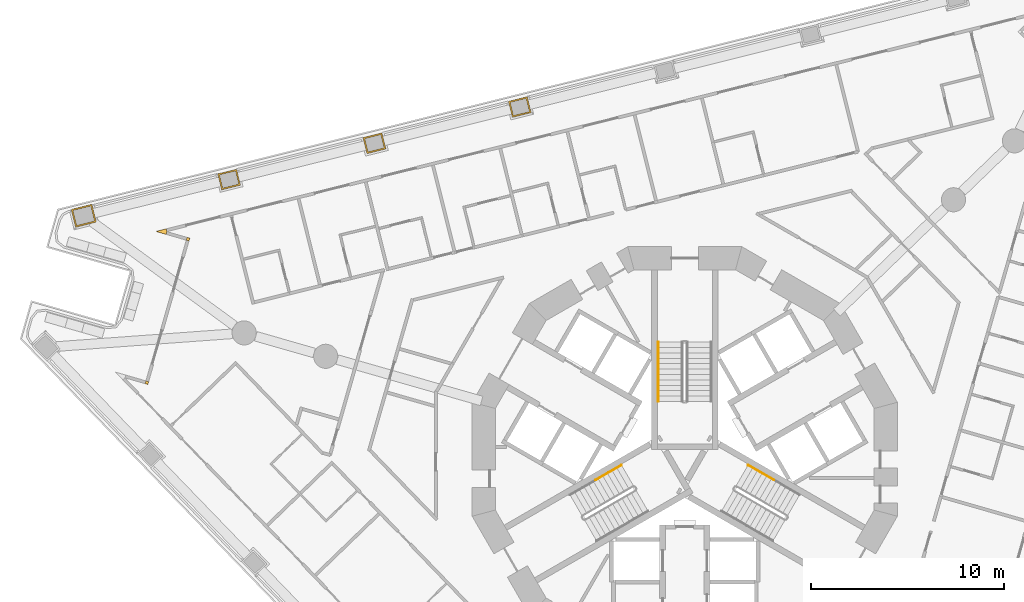
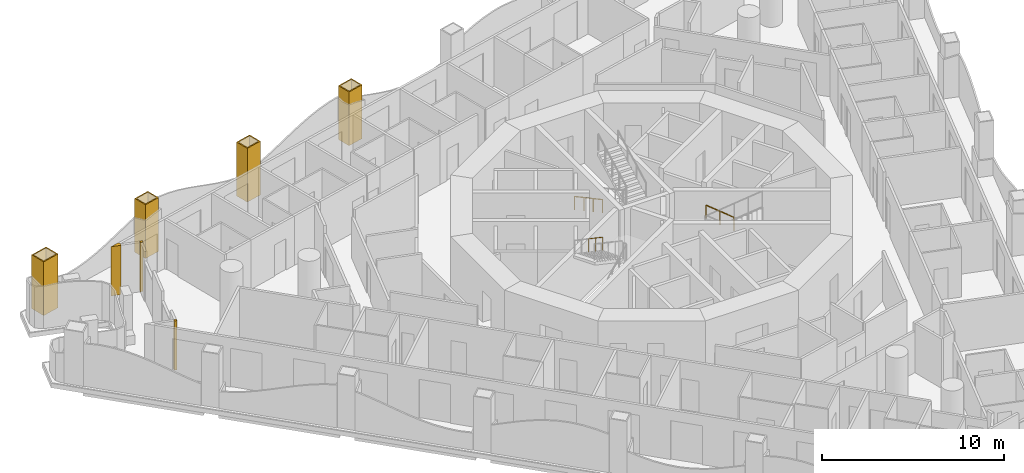
# One storey, part 17 of 20: 7 coverings, 3 railings.
"""IFC4 building model written with IfcOpenShell, lengths in metres."""

from ifc_helpers import new_model, si_unit, direction, frame, origin, origin_2d, place, context, subcontext, project, spatial, polyline, circle, outline, extrude, material, layer, layer_set, type_object, element, save


model = new_model("IFC4")

# Units and contexts
model_context = context("Model", 3, precision=1e-05, world=origin(), true_north=direction((0.0, 1.0)))
body_context = subcontext(model_context, "Body", "Model", "MODEL_VIEW")
ifc_project = project(units=[si_unit("LENGTHUNIT", "METRE"), si_unit("AREAUNIT", "SQUARE_METRE"), si_unit("VOLUMEUNIT", "CUBIC_METRE"), si_unit("PLANEANGLEUNIT", "RADIAN"), si_unit("MASSUNIT", "GRAM", prefix="KILO")], contexts=[model_context])

# Site, building, storey
site_placement = place(None, origin())
site = spatial("IfcSite", under=ifc_project, at=site_placement, CompositionType="ELEMENT")
building_placement = place(site_placement, origin())
building = spatial("IfcBuilding", under=site, at=building_placement, Name="Trine Commons Tower", CompositionType="ELEMENT")
storey_placement = place(building_placement, frame((0.0, 0.0, 112.5)))
storey = spatial("IfcBuildingStorey", under=building, at=storey_placement, Name="L28", CompositionType="ELEMENT", Elevation=112.5)

# Coverings
ifc_material_1 = material(Name="Aluminium-framed insulated wall panel", Category="aluminium")
ifc_layer_1 = layer(ifc_material_1, 0.14990234375)
ifc_layer_set_1 = layer_set([ifc_layer_1], Name="Aluminium-framed insulated wall panel")
covering_type_1 = type_object("IfcCoveringType", Name="Glazing corner post, aluminium", PredefinedType="CLADDING", material=ifc_layer_set_1)
covering_1_placement = place(storey_placement, origin())
element("IfcCovering", 1, at=covering_1_placement, inside=storey, type_object=covering_type_1, Name="Glazing corner post 3-02", PredefinedType="CLADDING", context=body_context, shape_type="SweptSolid", body=[
    extrude(outline(polyline([(52.048828125, 66.416015625), (52.193115234375, 66.374755859375), (52.234375, 66.518798828125), (52.090087890625, 66.560302734375), (52.048828125, 66.416015625)])), origin(), (0.0, 0.0, 1.0), 3.300048828125),
])
covering_2_placement = place(storey_placement, origin())
element("IfcCovering", 2, at=covering_2_placement, inside=storey, type_object=covering_type_1, Name="Glazing corner post 3-03", PredefinedType="CLADDING", context=body_context, shape_type="SweptSolid", body=[
    extrude(outline(polyline([(54.32373046875, 73.805419921875), (54.364990234375, 73.949462890625), (54.220703125, 73.99072265625), (54.179443359375, 73.8466796875), (54.32373046875, 73.805419921875)])), origin(), (0.0, 0.0, 1.0), 3.300048828125),
])
covering_3_placement = place(storey_placement, origin())
element("IfcCovering", 3, at=covering_3_placement, inside=storey, type_object=covering_type_1, Name="Glazing corner post 3-04", PredefinedType="CLADDING", context=body_context, shape_type="SweptSolid", body=[
    extrude(outline(polyline([(53.1357421875, 74.14599609375), (53.17724609375, 74.2900390625), (53.140869140625, 74.435546875), (52.59765625, 74.30029296875), (53.1357421875, 74.14599609375)])), origin(), (0.0, 0.0, 1.0), 3.300048828125),
])
ifc_material_2 = material(Name="Limestone, honed", Category="masonry")
ifc_layer_2 = layer(ifc_material_2, 0.074951171875)
ifc_layer_set_2 = layer_set([ifc_layer_2], Name="Limestone, honed")
covering_type_2 = type_object("IfcCoveringType", Name="Limestone column cladding 75", PredefinedType="CLADDING", material=ifc_layer_set_2)
covering_4_placement = place(storey_placement, origin())
element("IfcCovering", 4, at=covering_4_placement, inside=storey, type_object=covering_type_2, Name="Limestone pier cladding 3-09", PredefinedType="CLADDING", context=body_context, shape_type="SweptSolid", body=[
    extrude(outline(polyline([(49.520751953125, 74.785400390625), (49.291015625, 75.70703125), (48.2236328125, 75.44091796875), (48.45361328125, 74.519287109375), (49.520751953125, 74.785400390625)]), holes=[polyline([(49.429931640625, 74.83984375), (49.236328125, 75.6162109375), (48.314453125, 75.38623046875), (48.508056640625, 74.610107421875), (49.429931640625, 74.83984375)])]), origin(), (0.0, 0.0, 1.0), 3.60009765625),
])
covering_5_placement = place(storey_placement, origin())
element("IfcCovering", 5, at=covering_5_placement, inside=storey, type_object=covering_type_2, Name="Limestone pier cladding 3-10", PredefinedType="CLADDING", context=body_context, shape_type="SweptSolid", body=[
    extrude(outline(polyline([(56.9873046875, 76.698486328125), (56.78173828125, 77.523193359375), (55.811279296875, 77.28125), (56.01708984375, 76.45654296875), (56.9873046875, 76.698486328125)]), holes=[polyline([(56.896484375, 76.7529296875), (56.72705078125, 77.43212890625), (55.90234375, 77.2265625), (56.07177734375, 76.54736328125), (56.896484375, 76.7529296875)])]), origin(), (0.0, 0.0, 1.0), 3.60009765625),
])
covering_6_placement = place(storey_placement, origin())
element("IfcCovering", 6, at=covering_6_placement, inside=storey, type_object=covering_type_2, Name="Limestone pier cladding 3-11", PredefinedType="CLADDING", context=body_context, shape_type="SweptSolid", body=[
    extrude(outline(polyline([(64.5146484375, 78.5751953125), (64.308837890625, 79.39990234375), (63.338623046875, 79.157958984375), (63.544189453125, 78.333251953125), (64.5146484375, 78.5751953125)]), holes=[polyline([(64.423583984375, 78.6298828125), (64.25439453125, 79.30908203125), (63.4296875, 79.103515625), (63.598876953125, 78.42431640625), (64.423583984375, 78.6298828125)])]), origin(), (0.0, 0.0, 1.0), 3.60009765625),
])
covering_7_placement = place(storey_placement, origin())
element("IfcCovering", 7, at=covering_7_placement, inside=storey, type_object=covering_type_2, Name="Limestone pier cladding 3-12", PredefinedType="CLADDING", context=body_context, shape_type="SweptSolid", body=[
    extrude(outline(polyline([(72.0419921875, 80.451904296875), (71.836181640625, 81.276611328125), (70.865966796875, 81.03466796875), (71.071533203125, 80.2099609375), (72.0419921875, 80.451904296875)]), holes=[polyline([(71.950927734375, 80.506591796875), (71.781494140625, 81.185791015625), (70.956787109375, 80.97998046875), (71.126220703125, 80.30078125), (71.950927734375, 80.506591796875)])]), origin(), (0.0, 0.0, 1.0), 3.60009765625),
])

# Railings
ifc_material_3 = material(Name="Stainless steel handrail", Category="steel")
railing_type = type_object("IfcRailingType", Name="Stair handrail, steel 900", PredefinedType="HANDRAIL", material=ifc_material_3)
railing_1_placement = place(storey_placement, frame((78.625, 68.570556640625, 0.14990234375)))
element("IfcRailing", 8, at=railing_1_placement, inside=storey, type_object=railing_type, Name="L28 ST1A stair handrail 1", PredefinedType="HANDRAIL", context=body_context, shape_type="SweptSolid", body=[
    extrude(circle(Radius=0.02099609375, at=origin_2d()), frame((0.0, 0.0, 0.87890625), z_axis=(0.0, -0.881467505477, 0.472244678941), x_axis=(1.0, 0.0, 0.0)), (0.0, 0.0, 1.0), 3.494140625),
    extrude(circle(Radius=0.01513671875, at=origin_2d()), origin(), (0.0, 0.0, 1.0), 0.85791015625),
    extrude(circle(Radius=0.01513671875, at=origin_2d()), frame((0.0, -1.026611328125, 0.550048828125)), (0.0, 0.0, 1.0), 0.85791015625),
    extrude(circle(Radius=0.01513671875, at=origin_2d()), frame((0.0, -2.053466796875, 1.10009765625)), (0.0, 0.0, 1.0), 0.85791015625),
    extrude(circle(Radius=0.01513671875, at=origin_2d()), frame((0.0, -3.080078125, 1.650146484375)), (0.0, 0.0, 1.0), 0.85791015625),
])
railing_2_placement = place(storey_placement, frame((76.72265625, 62.195556640625, 1.949951171875)))
element("IfcRailing", 9, at=railing_2_placement, inside=storey, type_object=railing_type, Name="L28 ST2A stair handrail 3", PredefinedType="HANDRAIL", context=body_context, shape_type="SweptSolid", body=[
    extrude(circle(Radius=0.02099609375, at=origin_2d()), frame((0.0, 0.0, 0.87890625), z_axis=(-0.76340495495, -0.440743040072, 0.472184759798), x_axis=(0.499992328818, -0.866029832698, 0.0)), (0.0, 0.0, 1.0), 1.7470703125),
    extrude(circle(Radius=0.01513671875, at=origin_2d()), origin(), (0.0, 0.0, 1.0), 0.85791015625),
    extrude(circle(Radius=0.01513671875, at=origin_2d()), frame((-0.6669921875, -0.385009765625, 0.41259765625)), (0.0, 0.0, 1.0), 0.85791015625),
    extrude(circle(Radius=0.01513671875, at=origin_2d()), frame((-1.333740234375, -0.77001953125, 0.824951171875)), (0.0, 0.0, 1.0), 0.85791015625),
])
railing_3_placement = place(storey_placement, frame((84.611083984375, 61.425537109375, 0.97509765625)))
element("IfcRailing", 10, at=railing_3_placement, inside=storey, type_object=railing_type, Name="L28 ST3A stair handrail 2", PredefinedType="HANDRAIL", context=body_context, shape_type="SweptSolid", body=[
    extrude(circle(Radius=0.02099609375, at=origin_2d()), frame((0.0, 0.0, 0.87890625), z_axis=(-0.76340495495, 0.440743040072, 0.472184759798), x_axis=(-0.499992328818, -0.866029832698, 0.0)), (0.0, 0.0, 1.0), 1.7470703125),
    extrude(circle(Radius=0.01513671875, at=origin_2d()), origin(), (0.0, 0.0, 1.0), 0.85791015625),
    extrude(circle(Radius=0.01513671875, at=origin_2d()), frame((-0.6669921875, 0.385009765625, 0.41259765625)), (0.0, 0.0, 1.0), 0.85791015625),
    extrude(circle(Radius=0.01513671875, at=origin_2d()), frame((-1.333740234375, 0.77001953125, 0.824951171875)), (0.0, 0.0, 1.0), 0.85791015625),
])

save(model, "model.ifc")
